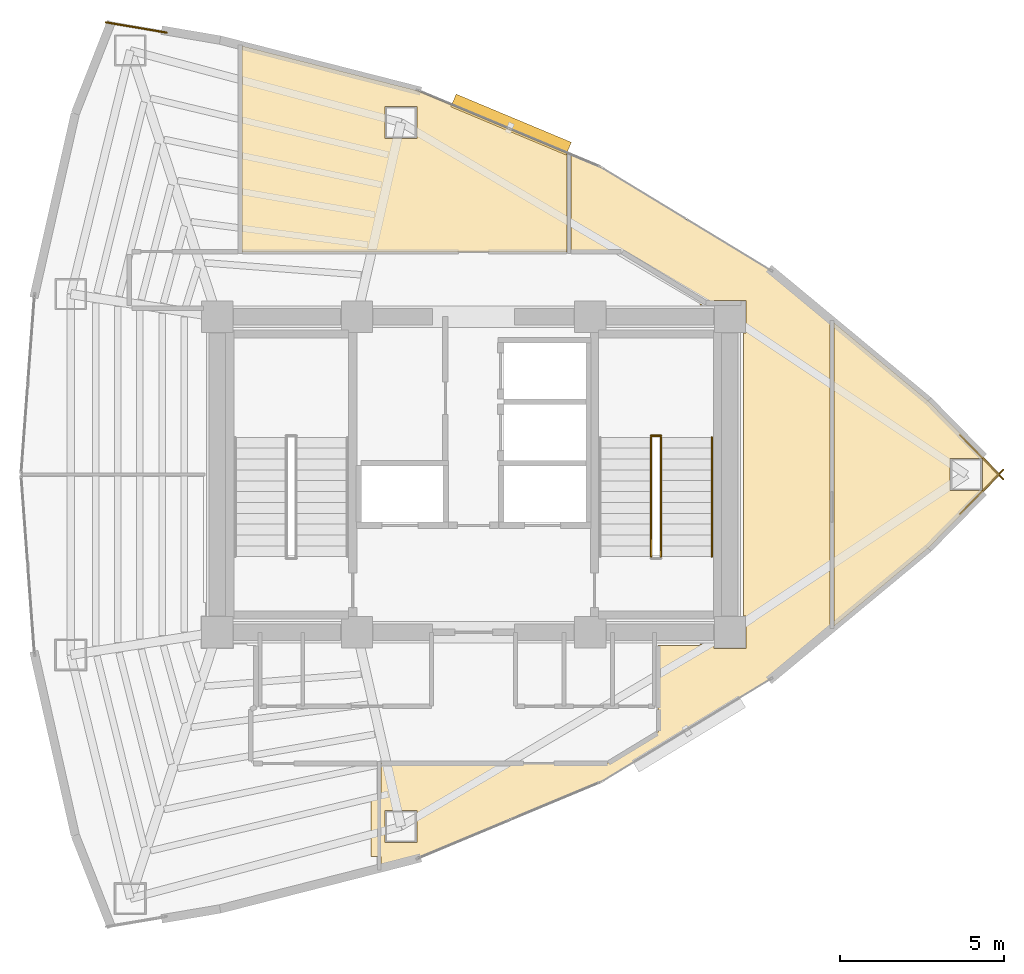
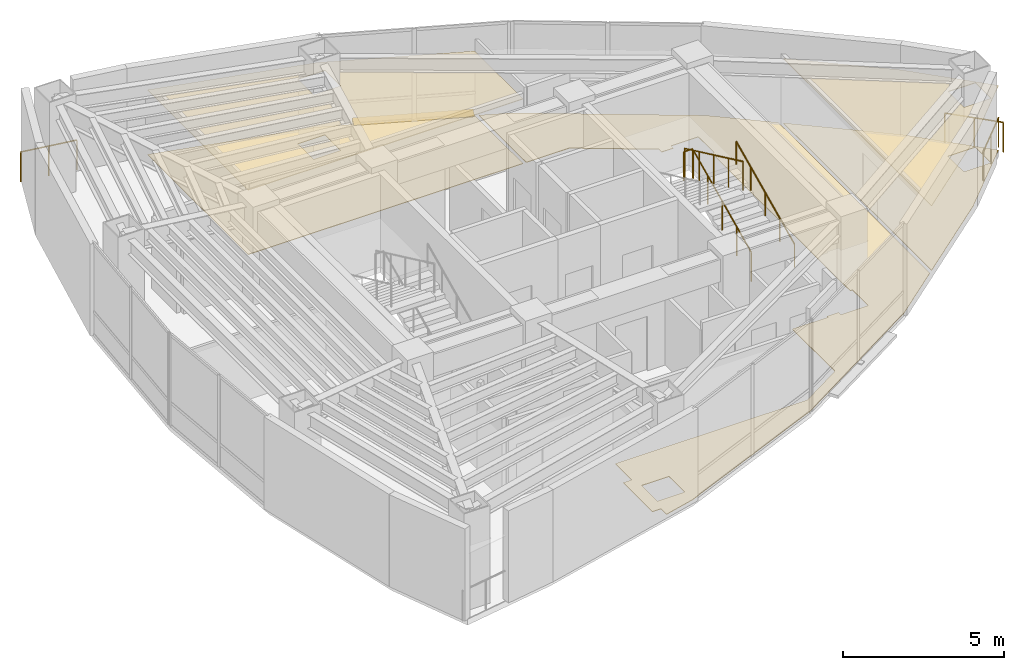
# One storey, part 15 of 15: 7 railings, 5 coverings, 1 shading device.
"""IFC4 building model written with IfcOpenShell, lengths in metres."""

import ifcopenshell
import ifcopenshell.guid

model = None  # the IFC model being written
_history = None  # IfcOwnerHistory: only IFC2X3 demands one
_inside = {}  # id of a spatial element -> (the spatial element, [elements in it])
_under = {}  # id of a project, library or spatial element -> (it, [spatial elements below it])
_declared = {}  # id of a project -> (the project, [libraries it declares])
_typed = {}  # id of a type object -> (the type object, [elements of that type])
_made_of = {}  # id of a material, layer set ... -> (it, [elements and type objects made of it])


def new_model(schema):
    """Start an empty IFC model of exactly this schema.

    Asked for "IFC4X3", IfcOpenShell would pick the latest addendum, in which some entities
    have other attributes; the version numbers below select the first issue.
    IFC2X3 requires an IfcOwnerHistory on every rooted entity: one is made here for all.
    """
    global model, _history
    if schema == "IFC4X3":
        model = ifcopenshell.file(schema_version=(4, 3, 0, 0))
    else:
        model = ifcopenshell.file(schema=schema)
    _inside.clear()
    _under.clear()
    _declared.clear()
    _typed.clear()
    _made_of.clear()
    _history = None
    if model.schema == "IFC2X3":
        org = make("IfcOrganization", Name="unknown")
        user = make(
            "IfcPersonAndOrganization",
            ThePerson=make("IfcPerson", FamilyName="unknown"),
            TheOrganization=org,
        )
        app = make(
            "IfcApplication",
            ApplicationDeveloper=org,
            Version="unknown",
            ApplicationFullName="unknown",
            ApplicationIdentifier="unknown",
        )
        _history = make(
            "IfcOwnerHistory",
            OwningUser=user,
            OwningApplication=app,
            ChangeAction="ADDED",
            CreationDate=0,
        )
    return model


def make(cls, **values):
    """One entity of the class cls with the attributes given. An attribute that is None is left unset."""
    return model.create_entity(
        cls, **{name: value for name, value in values.items() if value is not None}
    )


def rooted(cls, **values):
    """An entity with a GlobalId (a new one), such as an element, a storey or a relation."""
    return make(cls, GlobalId=ifcopenshell.guid.new(), OwnerHistory=_history, **values)


def si_unit(unit_type, name, prefix=None):
    """IfcSIUnit, for example si_unit("LENGTHUNIT", "METRE", prefix="MILLI")."""
    return make("IfcSIUnit", UnitType=unit_type, Prefix=prefix, Name=name)


def assignment(units):
    """IfcUnitAssignment: the units of a project."""
    return None if units is None else make("IfcUnitAssignment", Units=units)


def point(xyz):
    """IfcCartesianPoint."""
    return None if xyz is None else make("IfcCartesianPoint", Coordinates=xyz)


def direction(xyz):
    """IfcDirection."""
    return None if xyz is None else make("IfcDirection", DirectionRatios=xyz)


def frame(location, z_axis=None, x_axis=None):
    """IfcAxis2Placement3D, a coordinate frame: its origin and axes. An axis left out is left unset."""
    return make(
        "IfcAxis2Placement3D",
        Location=point(location),
        Axis=direction(z_axis),
        RefDirection=direction(x_axis),
    )


def frame_2d(location, x_axis=None):
    """IfcAxis2Placement2D, a coordinate frame in the plane: its origin and x axis."""
    return make(
        "IfcAxis2Placement2D", Location=point(location), RefDirection=direction(x_axis)
    )


def origin():
    """The frame at (0, 0, 0) with its axes left unset."""
    return frame((0.0, 0.0, 0.0))


def origin_2d():
    """The frame at (0, 0) in the plane with its x axis left unset."""
    return frame_2d((0.0, 0.0))


def place(relative_to, where):
    """IfcLocalPlacement: puts the frame where relative to a parent placement (None: the world)."""
    return make(
        "IfcLocalPlacement", PlacementRelTo=relative_to, RelativePlacement=where
    )


def context(
    kind, dimensions, precision=None, world=None, true_north=None, identifier=None
):
    """IfcGeometricRepresentationContext, for example the 3D "Model" context."""
    return make(
        "IfcGeometricRepresentationContext",
        ContextIdentifier=identifier,
        ContextType=kind,
        CoordinateSpaceDimension=dimensions,
        Precision=precision,
        WorldCoordinateSystem=world,
        TrueNorth=true_north,
    )


def subcontext(parent, identifier, kind, view, scale=None):
    """IfcGeometricRepresentationSubContext, for example "Body" below "Model"."""
    return make(
        "IfcGeometricRepresentationSubContext",
        ContextIdentifier=identifier,
        ContextType=kind,
        ParentContext=parent,
        TargetScale=scale,
        TargetView=view,
    )


def project(units=None, contexts=None):
    """IfcProject with its units and contexts."""
    return rooted(
        "IfcProject",
        Name="project",
        RepresentationContexts=contexts,
        UnitsInContext=assignment(units),
    )


def spatial(cls, under=None, at=None, **own):
    """A site, building, storey or space (cls), placed at a placement, below another one or the project."""
    s = rooted(cls, ObjectPlacement=at, **own)
    if under is not None:
        _under.setdefault(under.id(), (under, []))[1].append(s)
    return s


def polyline(points):
    """IfcPolyline through the points."""
    return make("IfcPolyline", Points=[point(p) for p in points])


def profile(cls, at=None, kind="AREA", **sizes):
    """A parametric profile (cls). Its sizes go by their IFC names, for example OverallWidth=200.0."""
    return make(cls, ProfileType=kind, Position=at, **sizes)


def rectangle(**sizes):
    """IfcRectangleProfileDef."""
    return profile("IfcRectangleProfileDef", **sizes)


def circle(**sizes):
    """IfcCircleProfileDef."""
    return profile("IfcCircleProfileDef", **sizes)


def outline(outer, holes=None, kind="AREA"):
    """IfcArbitraryClosedProfileDef: a profile drawn as a closed curve; with holes, ...WithVoids."""
    if holes is None:
        return make("IfcArbitraryClosedProfileDef", ProfileType=kind, OuterCurve=outer)
    return make(
        "IfcArbitraryProfileDefWithVoids",
        ProfileType=kind,
        OuterCurve=outer,
        InnerCurves=holes,
    )


def extrude(swept, where, along, depth):
    """IfcExtrudedAreaSolid: the profile swept, set in the frame where, extruded along a direction by depth."""
    return make(
        "IfcExtrudedAreaSolid",
        SweptArea=swept,
        Position=where,
        ExtrudedDirection=direction(along),
        Depth=depth,
    )


def shape(context_of_items, identifier, shape_type, items):
    """IfcShapeRepresentation: the items that make up one representation, for example the "Body"."""
    return make(
        "IfcShapeRepresentation",
        ContextOfItems=context_of_items,
        RepresentationIdentifier=identifier,
        RepresentationType=shape_type,
        Items=items,
    )


def material(Name=None, Category=None):
    """IfcMaterial."""
    return make("IfcMaterial", Name=Name, Category=Category)


def layer(
    of_material, thickness, ventilated=None, Name=None, Category=None, Priority=None
):
    """IfcMaterialLayer: one layer of a wall or slab, of a material (None: an air gap)."""
    return make(
        "IfcMaterialLayer",
        Material=of_material,
        LayerThickness=thickness,
        IsVentilated=ventilated,
        Name=Name,
        Category=Category,
        Priority=Priority,
    )


def layer_set(layers, Name=None):
    """IfcMaterialLayerSet."""
    return make("IfcMaterialLayerSet", MaterialLayers=layers, LayerSetName=Name)


def made_of(thing, what):
    """Note that an element or type object is made of a material, layer set ...; save() writes the relation."""
    if what is not None:
        _made_of.setdefault(what.id(), (what, []))[1].append(thing)
    return thing


def type_object(cls, material=None, **own):
    """A type object (cls), such as IfcWallType, which elements share."""
    return made_of(rooted(cls, **own), material)


def element(
    cls,
    number,
    at=None,
    inside=None,
    cuts=None,
    type_object=None,
    material=None,
    context=None,
    identifier="Body",
    shape_type=None,
    held_by="IfcProductDefinitionShape",
    body=None,
    shapes=None,
    **own,
):
    """One element of the class cls, such as IfcWall. Its Tag is "e" and its number.

    at: its placement. inside: the storey or other place that contains it. cuts: it is an
    opening in that element (IfcRelVoidsElement). A single representation is given by context,
    identifier, shape_type and body (its items); several are given by shapes. held_by: the class
    of the entity that holds the representations. save() writes the other relations.
    """
    e = rooted(cls, Tag="e%d" % number, ObjectPlacement=at, **own)
    if body is not None:
        shapes = [shape(context, identifier, shape_type, body)]
    if shapes is not None:
        e.Representation = make(held_by, Representations=shapes)
    if inside is not None:
        _inside.setdefault(inside.id(), (inside, []))[1].append(e)
    if cuts is not None:
        rooted(
            "IfcRelVoidsElement", RelatingBuildingElement=cuts, RelatedOpeningElement=e
        )
    if type_object is not None:
        _typed.setdefault(type_object.id(), (type_object, []))[1].append(e)
    return made_of(e, material)


def aggregate(whole, parts):
    """IfcRelAggregates: a whole, such as a stair, and the parts it consists of."""
    return rooted("IfcRelAggregates", RelatingObject=whole, RelatedObjects=parts)


def save(model, path):
    """Write the relations noted so far, then the file.

    IfcRelAggregates (storeys below a building ...), IfcRelContainedInSpatialStructure (elements
    in a storey), IfcRelDefinesByType, IfcRelAssociatesMaterial and IfcRelDeclares: one each for
    every whole, place, type object, material and project.
    """
    for whole, parts in _under.values():
        aggregate(whole, parts)
    for where, things in _inside.values():
        rooted(
            "IfcRelContainedInSpatialStructure",
            RelatedElements=things,
            RelatingStructure=where,
        )
    for kind, things in _typed.values():
        rooted("IfcRelDefinesByType", RelatedObjects=things, RelatingType=kind)
    for what, things in _made_of.values():
        rooted("IfcRelAssociatesMaterial", RelatedObjects=things, RelatingMaterial=what)
    for by, libraries in _declared.values():
        rooted("IfcRelDeclares", RelatingContext=by, RelatedDefinitions=libraries)
    model.write(path)


model = new_model("IFC4")

# Units and contexts
model_context = context("Model", 3, precision=1e-05, world=origin(), true_north=direction((0.0, 1.0)))
body_context = subcontext(model_context, "Body", "Model", "MODEL_VIEW")
ifc_project = project(units=[si_unit("LENGTHUNIT", "METRE"), si_unit("AREAUNIT", "SQUARE_METRE"), si_unit("VOLUMEUNIT", "CUBIC_METRE"), si_unit("PLANEANGLEUNIT", "RADIAN"), si_unit("MASSUNIT", "GRAM", prefix="KILO")], contexts=[model_context])

# Site, building, storey
site_placement = place(None, origin())
site = spatial("IfcSite", under=ifc_project, at=site_placement, CompositionType="ELEMENT")
building_placement = place(site_placement, origin())
building = spatial("IfcBuilding", under=site, at=building_placement, Name="Menara Vayukalpa", CompositionType="ELEMENT")
storey_placement = place(building_placement, frame((0.0, 0.0, 187.800048828125)))
storey = spatial("IfcBuildingStorey", under=building, at=storey_placement, Name="L47", CompositionType="ELEMENT", Elevation=187.800048828125)

# Coverings
ifc_material_1 = material(Name="Mineral Fibre Acoustic Ceiling Tile", Category="masonry")
ifc_layer_1 = layer(ifc_material_1, 0.02490234375)
ifc_layer_set_1 = layer_set([ifc_layer_1], Name="Mineral Fibre Acoustic Ceiling Tile")
covering_type_1 = type_object("IfcCoveringType", Name="COV-CLG1", PredefinedType="CEILING", material=ifc_layer_set_1)
covering_1_placement = place(storey_placement, frame((0.0, 0.0, 2.449951171875)))
element("IfcCovering", 1, at=covering_1_placement, inside=storey, type_object=covering_type_1, Name="L47 Corporate Training Classroom Acoustic Ceiling", PredefinedType="CEILING", context=body_context, shape_type="SweptSolid", body=[
    extrude(outline(polyline([(41.61962890625, 22.007080078125), (41.620361328125, 22.00634765625), (41.620849609375, 22.005615234375), (41.621337890625, 22.004638671875), (41.621826171875, 22.00390625), (41.6220703125, 22.0029296875), (41.622314453125, 22.001953125), (41.62255859375, 22.0009765625), (41.62255859375, 22.0), (41.62255859375, 21.9990234375), (41.622314453125, 21.998046875), (41.6220703125, 21.9970703125), (41.621826171875, 21.99609375), (41.621337890625, 21.995361328125), (41.620849609375, 21.994384765625), (41.620361328125, 21.99365234375), (41.61962890625, 21.992919921875), (39.4326171875, 19.765625), (39.431884765625, 19.764892578125), (36.576416015625, 17.396728515625), (36.57568359375, 17.396240234375), (36.57470703125, 17.395751953125), (36.573974609375, 17.395263671875), (36.572998046875, 17.39501953125), (36.572021484375, 17.394775390625), (36.571044921875, 17.39453125), (36.570068359375, 17.39453125), (36.569091796875, 17.39453125), (36.568115234375, 17.394775390625), (36.567138671875, 17.39501953125), (36.566162109375, 17.395263671875), (36.565185546875, 17.395751953125), (36.564453125, 17.396240234375), (36.563720703125, 17.396728515625), (36.56298828125, 17.3974609375), (36.562255859375, 17.398193359375), (36.561767578125, 17.39892578125), (36.561279296875, 17.39990234375), (36.560791015625, 17.400634765625), (36.560302734375, 17.401611328125), (36.560302734375, 17.402587890625), (36.56005859375, 17.403564453125), (36.56005859375, 17.404541015625), (36.56005859375, 26.595458984375), (36.56005859375, 26.596435546875), (36.560302734375, 26.597412109375), (36.560302734375, 26.598388671875), (36.560791015625, 26.599365234375), (36.561279296875, 26.60009765625), (36.561767578125, 26.60107421875), (36.562255859375, 26.601806640625), (36.56298828125, 26.6025390625), (36.563720703125, 26.603271484375), (36.564453125, 26.603759765625), (36.565185546875, 26.604248046875), (36.566162109375, 26.604736328125), (36.567138671875, 26.60498046875), (36.568115234375, 26.605224609375), (36.569091796875, 26.60546875), (36.570068359375, 26.60546875), (36.571044921875, 26.60546875), (36.572021484375, 26.605224609375), (36.572998046875, 26.60498046875), (36.573974609375, 26.604736328125), (36.57470703125, 26.604248046875), (36.57568359375, 26.603759765625), (36.576416015625, 26.603271484375), (39.431884765625, 24.235107421875), (39.4326171875, 24.234375), (41.61962890625, 22.007080078125)]), holes=[polyline([(41.08056640625, 22.489990234375), (40.1005859375, 22.489990234375), (40.1005859375, 21.510009765625), (41.08056640625, 21.510009765625), (41.08056640625, 22.489990234375)])]), origin(), (0.0, 0.0, 1.0), 0.02490234375),
])
covering_2_placement = place(storey_placement, frame((0.0, 0.0, 2.449951171875)))
element("IfcCovering", 2, at=covering_2_placement, inside=storey, type_object=covering_type_1, Name="L47 Executive Boardroom Acoustic Ceiling", PredefinedType="CEILING", context=body_context, shape_type="SweptSolid", body=[
    extrude(outline(polyline([(28.433837890625, 31.7763671875), (28.434814453125, 31.77587890625), (28.435546875, 31.775390625), (28.436279296875, 31.77490234375), (28.43701171875, 31.7744140625), (28.437744140625, 31.7734375), (28.438232421875, 31.772705078125), (28.438720703125, 31.77197265625), (28.439208984375, 31.77099609375), (28.439697265625, 31.77001953125), (28.439697265625, 31.76904296875), (28.43994140625, 31.768310546875), (28.43994140625, 31.76708984375), (28.43994140625, 28.780029296875), (28.43994140625, 28.779052734375), (28.439697265625, 28.778076171875), (28.439697265625, 28.777099609375), (28.439208984375, 28.776123046875), (28.438720703125, 28.775390625), (28.438232421875, 28.7744140625), (28.437744140625, 28.773681640625), (28.43701171875, 28.77294921875), (28.436279296875, 28.772216796875), (28.435546875, 28.771728515625), (28.434814453125, 28.771240234375), (28.433837890625, 28.770751953125), (28.432861328125, 28.7705078125), (28.431884765625, 28.770263671875), (28.430908203125, 28.77001953125), (28.429931640625, 28.77001953125), (18.570068359375, 28.77001953125), (18.569091796875, 28.77001953125), (18.568115234375, 28.770263671875), (18.567138671875, 28.7705078125), (18.566162109375, 28.770751953125), (18.565185546875, 28.771240234375), (18.564453125, 28.771728515625), (18.563720703125, 28.772216796875), (18.56298828125, 28.77294921875), (18.562255859375, 28.773681640625), (18.561767578125, 28.7744140625), (18.561279296875, 28.775390625), (18.560791015625, 28.776123046875), (18.560302734375, 28.777099609375), (18.560302734375, 28.778076171875), (18.56005859375, 28.779052734375), (18.56005859375, 28.780029296875), (18.56005859375, 35.0244140625), (18.56005859375, 35.025390625), (18.560302734375, 35.0263671875), (18.560302734375, 35.027099609375), (18.560791015625, 35.028076171875), (18.56103515625, 35.029052734375), (18.5615234375, 35.02978515625), (18.562255859375, 35.030517578125), (18.562744140625, 35.03125), (18.5634765625, 35.031982421875), (18.564208984375, 35.03271484375), (18.565185546875, 35.033203125), (18.56591796875, 35.033447265625), (18.56689453125, 35.033935546875), (18.567626953125, 35.0341796875), (18.568603515625, 35.0341796875), (18.569580078125, 35.034423828125), (18.570556640625, 35.034423828125), (18.571533203125, 35.0341796875), (18.572509765625, 35.0341796875), (23.884765625, 33.67919921875), (23.885986328125, 33.6787109375), (28.433837890625, 31.7763671875)]), holes=[polyline([(23.87939453125, 33.198486328125), (22.8994140625, 33.198486328125), (22.8994140625, 32.218505859375), (23.87939453125, 32.218505859375), (23.87939453125, 33.198486328125)])]), origin(), (0.0, 0.0, 1.0), 0.02490234375),
])
ifc_material_2 = material(Name="Porcelain Stoneware Floor Tile", Category="masonry")
ifc_layer_2 = layer(ifc_material_2, 0.02001953125)
ifc_layer_set_2 = layer_set([ifc_layer_2], Name="Porcelain Stoneware Floor Tile")
covering_type_2 = type_object("IfcCoveringType", Name="COV-FLR1", PredefinedType="FLOORING", material=ifc_layer_set_2)
covering_3_placement = place(storey_placement, origin())
element("IfcCovering", 3, at=covering_3_placement, inside=storey, type_object=covering_type_2, Name="L47 Staff Dining and Pantry Porcelain Flooring", PredefinedType="FLOORING", context=body_context, shape_type="SweptSolid", body=[
    extrude(outline(polyline([(22.784912109375, 13.2099609375), (22.784912109375, 13.2109375), (22.78515625, 13.2119140625), (22.785400390625, 13.212890625), (22.78564453125, 13.2138671875), (22.7861328125, 13.214599609375), (22.78662109375, 13.215576171875), (22.787109375, 13.21630859375), (22.787841796875, 13.217041015625), (22.78857421875, 13.2177734375), (22.789306640625, 13.21826171875), (22.790283203125, 13.21875), (22.791015625, 13.21923828125), (22.7919921875, 13.219482421875), (22.79296875, 13.2197265625), (22.7939453125, 13.219970703125), (22.794921875, 13.219970703125), (29.667236328125, 13.219970703125), (29.673828125, 13.22021484375), (29.68017578125, 13.22119140625), (29.686279296875, 13.22265625), (29.6923828125, 13.224609375), (29.6982421875, 13.22705078125), (29.7041015625, 13.230224609375), (31.18603515625, 14.130615234375), (31.1923828125, 14.134765625), (31.19775390625, 14.139404296875), (31.20263671875, 14.14453125), (31.20703125, 14.150146484375), (31.2109375, 14.15625), (31.214111328125, 14.16259765625), (31.216552734375, 14.16943359375), (31.218505859375, 14.176513671875), (31.219482421875, 14.183349609375), (31.219970703125, 14.19091796875), (31.219970703125, 14.849609375), (31.219482421875, 14.856689453125), (31.21875, 14.86376953125), (31.217041015625, 14.870361328125), (31.214599609375, 14.876708984375), (31.2119140625, 14.8828125), (31.211669921875, 14.883056640625), (31.211181640625, 14.8837890625), (31.210693359375, 14.884765625), (31.21044921875, 14.8857421875), (31.210205078125, 14.88671875), (31.2099609375, 14.8876953125), (31.2099609375, 14.888671875), (31.2099609375, 16.780029296875), (31.2099609375, 16.781005859375), (31.210205078125, 16.781982421875), (31.21044921875, 16.782958984375), (31.210693359375, 16.78369140625), (31.211181640625, 16.78466796875), (31.211669921875, 16.78564453125), (31.21240234375, 16.786376953125), (31.212890625, 16.787109375), (31.213623046875, 16.78759765625), (31.21435546875, 16.788330078125), (31.21533203125, 16.788818359375), (31.21630859375, 16.789306640625), (31.217041015625, 16.78955078125), (31.218017578125, 16.789794921875), (31.218994140625, 16.7900390625), (31.219970703125, 16.7900390625), (32.489990234375, 16.7900390625), (32.489990234375, 16.85009765625), (32.909912109375, 16.85009765625), (32.909912109375, 16.7099609375), (33.889892578125, 16.7099609375), (33.889892578125, 17.68994140625), (33.81005859375, 17.68994140625), (33.81005859375, 26.31005859375), (33.889892578125, 26.31005859375), (33.889892578125, 27.2900390625), (32.909912109375, 27.2900390625), (32.909912109375, 27.14990234375), (32.489990234375, 27.14990234375), (32.489990234375, 27.322265625), (30.12353515625, 28.759765625), (30.117919921875, 28.762939453125), (30.112060546875, 28.765380859375), (30.10595703125, 28.767333984375), (30.099609375, 28.768798828125), (30.093505859375, 28.769775390625), (30.0869140625, 28.77001953125), (28.570068359375, 28.77001953125), (28.569091796875, 28.77001953125), (28.568115234375, 28.770263671875), (28.567138671875, 28.7705078125), (28.566162109375, 28.770751953125), (28.565185546875, 28.771240234375), (28.564453125, 28.771728515625), (28.563720703125, 28.772216796875), (28.56298828125, 28.77294921875), (28.562255859375, 28.773681640625), (28.561767578125, 28.7744140625), (28.561279296875, 28.775390625), (28.560791015625, 28.776123046875), (28.560302734375, 28.777099609375), (28.560302734375, 28.778076171875), (28.56005859375, 28.779052734375), (28.56005859375, 28.780029296875), (28.56005859375, 31.708740234375), (28.56005859375, 31.709716796875), (28.560302734375, 31.710693359375), (28.560302734375, 31.711669921875), (28.560791015625, 31.71240234375), (28.561279296875, 31.71337890625), (28.561767578125, 31.71435546875), (28.562255859375, 31.715087890625), (28.56298828125, 31.7158203125), (28.563720703125, 31.71630859375), (28.564453125, 31.717041015625), (28.565185546875, 31.717529296875), (28.566162109375, 31.718017578125), (28.567138671875, 31.71826171875), (28.568115234375, 31.718505859375), (28.569091796875, 31.71875), (28.570068359375, 31.71875), (28.571044921875, 31.718505859375), (28.572021484375, 31.718505859375), (28.572998046875, 31.71826171875), (28.573974609375, 31.718017578125), (29.478515625, 31.33935546875), (29.479248046875, 31.339111328125), (29.47998046875, 31.338623046875), (34.660888671875, 28.19140625), (34.662109375, 28.190673828125), (36.438720703125, 26.71728515625), (36.439208984375, 26.716796875), (36.43994140625, 26.7158203125), (36.440673828125, 26.715087890625), (36.441162109375, 26.714111328125), (36.44140625, 26.71337890625), (36.44189453125, 26.71240234375), (36.442138671875, 26.711181640625), (36.442138671875, 26.710205078125), (36.442138671875, 26.709228515625), (36.442138671875, 26.708251953125), (36.44189453125, 26.707275390625), (36.441162109375, 26.7041015625), (36.440185546875, 26.6982421875), (36.43994140625, 26.6923828125), (36.43994140625, 17.3076171875), (36.440185546875, 17.3017578125), (36.441162109375, 17.2958984375), (36.44189453125, 17.292724609375), (36.442138671875, 17.291748046875), (36.442138671875, 17.290771484375), (36.442138671875, 17.289794921875), (36.442138671875, 17.288818359375), (36.44189453125, 17.28759765625), (36.44140625, 17.28662109375), (36.441162109375, 17.285888671875), (36.440673828125, 17.284912109375), (36.43994140625, 17.2841796875), (36.439208984375, 17.283203125), (36.438720703125, 17.28271484375), (34.662109375, 15.809326171875), (34.660888671875, 15.80859375), (29.47998046875, 12.661376953125), (29.479248046875, 12.660888671875), (29.478515625, 12.66064453125), (23.885986328125, 10.3212890625), (23.884765625, 10.32080078125), (22.79736328125, 10.04345703125), (22.79638671875, 10.043212890625), (22.79541015625, 10.043212890625), (22.79443359375, 10.043212890625), (22.793701171875, 10.043212890625), (22.79248046875, 10.04345703125), (22.791748046875, 10.043701171875), (22.790771484375, 10.0439453125), (22.7900390625, 10.04443359375), (22.7890625, 10.044921875), (22.788330078125, 10.04541015625), (22.78759765625, 10.046142578125), (22.787109375, 10.046875), (22.78662109375, 10.047607421875), (22.785888671875, 10.048583984375), (22.78564453125, 10.04931640625), (22.785400390625, 10.05029296875), (22.78515625, 10.05126953125), (22.784912109375, 10.052001953125), (22.784912109375, 10.052978515625), (22.784912109375, 10.381591796875), (22.4794921875, 10.381591796875), (22.4794921875, 12.20166015625), (22.784912109375, 12.20166015625), (22.784912109375, 13.2099609375)]), holes=[polyline([(23.87939453125, 11.781494140625), (22.8994140625, 11.781494140625), (22.8994140625, 10.801513671875), (23.87939453125, 10.801513671875), (23.87939453125, 11.781494140625)])]), origin(), (0.0, 0.0, 1.0), 0.02001953125),
])
covering_4_placement = place(storey_placement, origin())
element("IfcCovering", 4, at=covering_4_placement, inside=storey, type_object=covering_type_2, Name="L47 Corporate Training Classroom Porcelain Flooring", PredefinedType="FLOORING", context=body_context, shape_type="SweptSolid", body=[
    extrude(outline(polyline([(41.61962890625, 22.007080078125), (41.620361328125, 22.00634765625), (41.620849609375, 22.005615234375), (41.621337890625, 22.004638671875), (41.621826171875, 22.00390625), (41.6220703125, 22.0029296875), (41.622314453125, 22.001953125), (41.62255859375, 22.0009765625), (41.62255859375, 22.0), (41.62255859375, 21.9990234375), (41.622314453125, 21.998046875), (41.6220703125, 21.9970703125), (41.621826171875, 21.99609375), (41.621337890625, 21.995361328125), (41.620849609375, 21.994384765625), (41.620361328125, 21.99365234375), (41.61962890625, 21.992919921875), (39.4326171875, 19.765625), (39.431884765625, 19.764892578125), (36.576416015625, 17.396728515625), (36.57568359375, 17.396240234375), (36.57470703125, 17.395751953125), (36.573974609375, 17.395263671875), (36.572998046875, 17.39501953125), (36.572021484375, 17.394775390625), (36.571044921875, 17.39453125), (36.570068359375, 17.39453125), (36.569091796875, 17.39453125), (36.568115234375, 17.394775390625), (36.567138671875, 17.39501953125), (36.566162109375, 17.395263671875), (36.565185546875, 17.395751953125), (36.564453125, 17.396240234375), (36.563720703125, 17.396728515625), (36.56298828125, 17.3974609375), (36.562255859375, 17.398193359375), (36.561767578125, 17.39892578125), (36.561279296875, 17.39990234375), (36.560791015625, 17.400634765625), (36.560302734375, 17.401611328125), (36.560302734375, 17.402587890625), (36.56005859375, 17.403564453125), (36.56005859375, 17.404541015625), (36.56005859375, 26.595458984375), (36.56005859375, 26.596435546875), (36.560302734375, 26.597412109375), (36.560302734375, 26.598388671875), (36.560791015625, 26.599365234375), (36.561279296875, 26.60009765625), (36.561767578125, 26.60107421875), (36.562255859375, 26.601806640625), (36.56298828125, 26.6025390625), (36.563720703125, 26.603271484375), (36.564453125, 26.603759765625), (36.565185546875, 26.604248046875), (36.566162109375, 26.604736328125), (36.567138671875, 26.60498046875), (36.568115234375, 26.605224609375), (36.569091796875, 26.60546875), (36.570068359375, 26.60546875), (36.571044921875, 26.60546875), (36.572021484375, 26.605224609375), (36.572998046875, 26.60498046875), (36.573974609375, 26.604736328125), (36.57470703125, 26.604248046875), (36.57568359375, 26.603759765625), (36.576416015625, 26.603271484375), (39.431884765625, 24.235107421875), (39.4326171875, 24.234375), (41.61962890625, 22.007080078125)]), holes=[polyline([(41.08056640625, 22.489990234375), (40.1005859375, 22.489990234375), (40.1005859375, 21.510009765625), (41.08056640625, 21.510009765625), (41.08056640625, 22.489990234375)])]), origin(), (0.0, 0.0, 1.0), 0.02001953125),
])
covering_5_placement = place(storey_placement, origin())
element("IfcCovering", 5, at=covering_5_placement, inside=storey, type_object=covering_type_2, Name="L47 Executive Boardroom Porcelain Flooring", PredefinedType="FLOORING", context=body_context, shape_type="SweptSolid", body=[
    extrude(outline(polyline([(28.433837890625, 31.7763671875), (28.434814453125, 31.77587890625), (28.435546875, 31.775390625), (28.436279296875, 31.77490234375), (28.43701171875, 31.7744140625), (28.437744140625, 31.7734375), (28.438232421875, 31.772705078125), (28.438720703125, 31.77197265625), (28.439208984375, 31.77099609375), (28.439697265625, 31.77001953125), (28.439697265625, 31.76904296875), (28.43994140625, 31.768310546875), (28.43994140625, 31.76708984375), (28.43994140625, 28.780029296875), (28.43994140625, 28.779052734375), (28.439697265625, 28.778076171875), (28.439697265625, 28.777099609375), (28.439208984375, 28.776123046875), (28.438720703125, 28.775390625), (28.438232421875, 28.7744140625), (28.437744140625, 28.773681640625), (28.43701171875, 28.77294921875), (28.436279296875, 28.772216796875), (28.435546875, 28.771728515625), (28.434814453125, 28.771240234375), (28.433837890625, 28.770751953125), (28.432861328125, 28.7705078125), (28.431884765625, 28.770263671875), (28.430908203125, 28.77001953125), (28.429931640625, 28.77001953125), (18.570068359375, 28.77001953125), (18.569091796875, 28.77001953125), (18.568115234375, 28.770263671875), (18.567138671875, 28.7705078125), (18.566162109375, 28.770751953125), (18.565185546875, 28.771240234375), (18.564453125, 28.771728515625), (18.563720703125, 28.772216796875), (18.56298828125, 28.77294921875), (18.562255859375, 28.773681640625), (18.561767578125, 28.7744140625), (18.561279296875, 28.775390625), (18.560791015625, 28.776123046875), (18.560302734375, 28.777099609375), (18.560302734375, 28.778076171875), (18.56005859375, 28.779052734375), (18.56005859375, 28.780029296875), (18.56005859375, 35.0244140625), (18.56005859375, 35.025390625), (18.560302734375, 35.0263671875), (18.560302734375, 35.027099609375), (18.560791015625, 35.028076171875), (18.56103515625, 35.029052734375), (18.5615234375, 35.02978515625), (18.562255859375, 35.030517578125), (18.562744140625, 35.03125), (18.5634765625, 35.031982421875), (18.564208984375, 35.03271484375), (18.565185546875, 35.033203125), (18.56591796875, 35.033447265625), (18.56689453125, 35.033935546875), (18.567626953125, 35.0341796875), (18.568603515625, 35.0341796875), (18.569580078125, 35.034423828125), (18.570556640625, 35.034423828125), (18.571533203125, 35.0341796875), (18.572509765625, 35.0341796875), (23.884765625, 33.67919921875), (23.885986328125, 33.6787109375), (28.433837890625, 31.7763671875)]), holes=[polyline([(23.87939453125, 33.198486328125), (22.8994140625, 33.198486328125), (22.8994140625, 32.218505859375), (23.87939453125, 32.218505859375), (23.87939453125, 33.198486328125)])]), origin(), (0.0, 0.0, 1.0), 0.02001953125),
])

# Railings
ifc_material_3 = material(Name="Laminated Glass and Stainless Steel 316 Guardrail", Category="steel")
railing_type_1 = type_object("IfcRailingType", Name="RLG-EXT115", PredefinedType="GUARDRAIL", material=ifc_material_3)
railing_1_placement = place(storey_placement, frame((40.392333984375, 20.800048828125, 0.0)))
element("IfcRailing", 6, at=railing_1_placement, inside=storey, type_object=railing_type_1, Name="L47 Column Corner Spandrel Guardrail 01-1", PredefinedType="GUARDRAIL", context=body_context, shape_type="SweptSolid", body=[
    extrude(circle(Radius=0.02392578125, at=origin_2d()), frame((0.0, 0.0, 1.1259765625), z_axis=(0.700555409966, 0.713598008382, 0.0), x_axis=(-0.713598008382, 0.700555409966, 0.0)), (0.0, 0.0, 1.0), 1.890625),
    extrude(circle(Radius=0.02099609375, at=origin_2d()), origin(), (0.0, 0.0, 1.0), 1.101806640625),
    extrude(circle(Radius=0.02099609375, at=origin_2d()), frame((0.662109375, 0.674560546875, 0.0)), (0.0, 0.0, 1.0), 1.101806640625),
    extrude(circle(Radius=0.02099609375, at=origin_2d()), frame((1.324462890625, 1.34912109375, 0.0)), (0.0, 0.0, 1.0), 1.101806640625),
])
railing_2_placement = place(storey_placement, frame((41.716796875, 21.850830078125, 0.0)))
element("IfcRailing", 7, at=railing_2_placement, inside=storey, type_object=railing_type_1, Name="L47 Column Corner Spandrel Guardrail 02-1", PredefinedType="GUARDRAIL", context=body_context, shape_type="SweptSolid", body=[
    extrude(circle(Radius=0.02392578125, at=origin_2d()), frame((0.0, 0.0, 1.1259765625), z_axis=(-0.700555409966, 0.713598008382, 0.0), x_axis=(-0.713598008382, -0.700555409966, 0.0)), (0.0, 0.0, 1.0), 1.890625),
    extrude(circle(Radius=0.02099609375, at=origin_2d()), origin(), (0.0, 0.0, 1.0), 1.101806640625),
    extrude(circle(Radius=0.02099609375, at=origin_2d()), frame((-0.662109375, 0.674560546875, 0.0)), (0.0, 0.0, 1.0), 1.101806640625),
    extrude(circle(Radius=0.02099609375, at=origin_2d()), frame((-1.324462890625, 1.34912109375, 0.0)), (0.0, 0.0, 1.0), 1.101806640625),
])
railing_3_placement = place(storey_placement, frame((16.256103515625, 35.44580078125, 0.0)))
element("IfcRailing", 8, at=railing_3_placement, inside=storey, type_object=railing_type_1, Name="L47 Column Corner Spandrel Guardrail 07-1", PredefinedType="GUARDRAIL", context=body_context, shape_type="SweptSolid", body=[
    extrude(circle(Radius=0.02392578125, at=origin_2d()), frame((0.0, 0.0, 1.1259765625), z_axis=(-0.985895107684, 0.167364382844, 0.0), x_axis=(-0.167364382844, -0.985895107684, 0.0)), (0.0, 0.0, 1.0), 1.86865234375),
    extrude(circle(Radius=0.02099609375, at=origin_2d()), origin(), (0.0, 0.0, 1.0), 1.101806640625),
    extrude(circle(Radius=0.02099609375, at=origin_2d()), frame((-0.921142578125, 0.15625, 0.0)), (0.0, 0.0, 1.0), 1.101806640625),
    extrude(circle(Radius=0.02099609375, at=origin_2d()), frame((-1.84228515625, 0.312744140625, 0.0)), (0.0, 0.0, 1.0), 1.101806640625),
])
ifc_material_4 = material(Name="Powder-Coated Galvanised Steel Guardrail", Category="steel")
railing_type_2 = type_object("IfcRailingType", Name="RLG-STG110", PredefinedType="GUARDRAIL", material=ifc_material_4)
railing_4_placement = place(storey_placement, frame((31.300048828125, 19.5, 0.155029296875)))
element("IfcRailing", 9, at=railing_4_placement, inside=storey, type_object=railing_type_2, Name="L47 ST-2 stair guard 1", PredefinedType="GUARDRAIL", context=body_context, shape_type="SweptSolid", body=[
    extrude(circle(Radius=0.02392578125, at=origin_2d()), frame((0.0, 0.0, 1.09619140625), z_axis=(0.0, 0.90513990983, 0.425113800803), x_axis=(-1.0, 0.0, 0.0)), (0.0, 0.0, 1.0), 4.01025390625),
    extrude(circle(Radius=0.02099609375, at=origin_2d()), origin(), (0.0, 0.0, 1.0), 1.072021484375),
    extrude(circle(Radius=0.02099609375, at=origin_2d()), frame((0.0, 0.907470703125, 0.42626953125)), (0.0, 0.0, 1.0), 1.072021484375),
    extrude(circle(Radius=0.02099609375, at=origin_2d()), frame((0.0, 1.81494140625, 0.8525390625)), (0.0, 0.0, 1.0), 1.072021484375),
    extrude(circle(Radius=0.02099609375, at=origin_2d()), frame((0.0, 2.722412109375, 1.278564453125)), (0.0, 0.0, 1.0), 1.072021484375),
    extrude(circle(Radius=0.02099609375, at=origin_2d()), frame((0.0, 3.6298828125, 1.704833984375)), (0.0, 0.0, 1.0), 1.072021484375),
])
railing_5_placement = place(storey_placement, frame((31.31005859375, 23.179931640625, 1.85986328125)))
element("IfcRailing", 10, at=railing_5_placement, inside=storey, type_object=railing_type_2, Name="L47 ST-2 stair guard 2", PredefinedType="GUARDRAIL", context=body_context, shape_type="SweptSolid", body=[
    extrude(circle(Radius=0.02392578125, at=origin_2d()), frame((0.0, 0.0, 1.09619140625), z_axis=(-1.0, 0.0, 0.0), x_axis=(0.0, -1.0, 0.0)), (0.0, 0.0, 1.0), 0.320068359375),
    extrude(circle(Radius=0.02099609375, at=origin_2d()), origin(), (0.0, 0.0, 1.0), 1.072021484375),
    extrude(circle(Radius=0.02099609375, at=origin_2d()), frame((-0.320068359375, 0.0, 0.0)), (0.0, 0.0, 1.0), 1.072021484375),
])
railing_6_placement = place(storey_placement, frame((31.0, 23.1298828125, 2.014892578125)))
element("IfcRailing", 11, at=railing_6_placement, inside=storey, type_object=railing_type_2, Name="L47 ST-2 stair guard 3", PredefinedType="GUARDRAIL", context=body_context, shape_type="SweptSolid", body=[
    extrude(circle(Radius=0.02392578125, at=origin_2d()), frame((0.0, 0.0, 1.09619140625), z_axis=(0.0, -0.90511648382, 0.425163675209), x_axis=(1.0, 0.0, 0.0)), (0.0, 0.0, 1.0), 4.010498046875),
    extrude(circle(Radius=0.02099609375, at=origin_2d()), origin(), (0.0, 0.0, 1.0), 1.072021484375),
    extrude(circle(Radius=0.02099609375, at=origin_2d()), frame((0.0, -0.907470703125, 0.42626953125)), (0.0, 0.0, 1.0), 1.072021484375),
    extrude(circle(Radius=0.02099609375, at=origin_2d()), frame((0.0, -1.81494140625, 0.8525390625)), (0.0, 0.0, 1.0), 1.072021484375),
    extrude(circle(Radius=0.02099609375, at=origin_2d()), frame((0.0, -2.722412109375, 1.27880859375)), (0.0, 0.0, 1.0), 1.072021484375),
    extrude(circle(Radius=0.02099609375, at=origin_2d()), frame((0.0, -3.6298828125, 1.705078125)), (0.0, 0.0, 1.0), 1.072021484375),
])
ifc_material_5 = material(Name="Stainless Steel 316 Tubular Handrail", Category="steel")
railing_type_3 = type_object("IfcRailingType", Name="RLG-STH090", PredefinedType="HANDRAIL", material=ifc_material_5)
railing_7_placement = place(storey_placement, frame((32.85009765625, 19.5, 0.155029296875)))
element("IfcRailing", 12, at=railing_7_placement, inside=storey, type_object=railing_type_3, Name="L47 ST-2 stair handrail 1", PredefinedType="HANDRAIL", context=body_context, shape_type="SweptSolid", body=[
    extrude(circle(Radius=0.02392578125, at=origin_2d()), frame((0.0, 0.0, 0.8759765625), z_axis=(0.0, 0.90513990983, 0.425113800803), x_axis=(-1.0, 0.0, 0.0)), (0.0, 0.0, 1.0), 4.01025390625),
    extrude(circle(Radius=0.02099609375, at=origin_2d()), origin(), (0.0, 0.0, 1.0), 0.851806640625),
    extrude(circle(Radius=0.02099609375, at=origin_2d()), frame((0.0, 0.907470703125, 0.42626953125)), (0.0, 0.0, 1.0), 0.851806640625),
    extrude(circle(Radius=0.02099609375, at=origin_2d()), frame((0.0, 1.81494140625, 0.8525390625)), (0.0, 0.0, 1.0), 0.851806640625),
    extrude(circle(Radius=0.02099609375, at=origin_2d()), frame((0.0, 2.722412109375, 1.278564453125)), (0.0, 0.0, 1.0), 0.851806640625),
    extrude(circle(Radius=0.02099609375, at=origin_2d()), frame((0.0, 3.6298828125, 1.704833984375)), (0.0, 0.0, 1.0), 0.851806640625),
])

# Shading device
ifc_material_6 = material(Name="Glazed Terracotta Ceramic Baguette Extrusion", Category="masonry")
ifc_layer_3 = layer(ifc_material_6, 0.1201171875)
ifc_layer_set_3 = layer_set([ifc_layer_3], Name="Glazed Terracotta Ceramic Baguette Extrusion")
shading_device_type = type_object("IfcShadingDeviceType", Name="SHD-SS1", PredefinedType="USERDEFINED", material=ifc_layer_set_3)
shading_device_placement = place(storey_placement, frame((26.740234375, 32.6474609375, -0.10009765625), z_axis=(0.0, 0.0, 1.0), x_axis=(-0.922538089456, 0.385906042324, 0.0)))
element("IfcShadingDevice", 13, at=shading_device_placement, inside=storey, type_object=shading_device_type, Name="L47 Horizontal Terracotta Sunshade Band 05", ObjectType="SUNSHADE", PredefinedType="USERDEFINED", context=body_context, shape_type="SweptSolid", body=[
    extrude(rectangle(XDim=3.800048828125, YDim=0.419921875, at=origin_2d()), origin(), (0.0, 0.0, 1.0), 0.1201171875),
])

save(model, "model.ifc")
